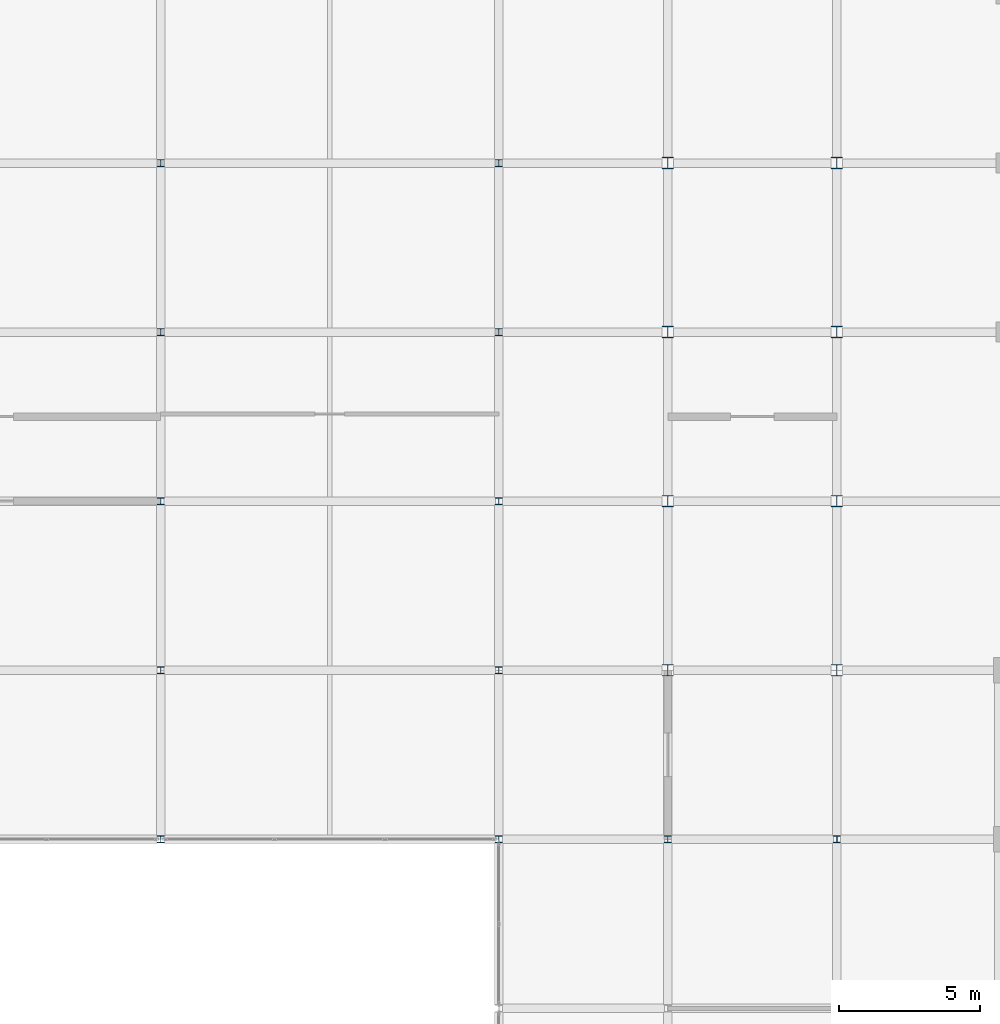
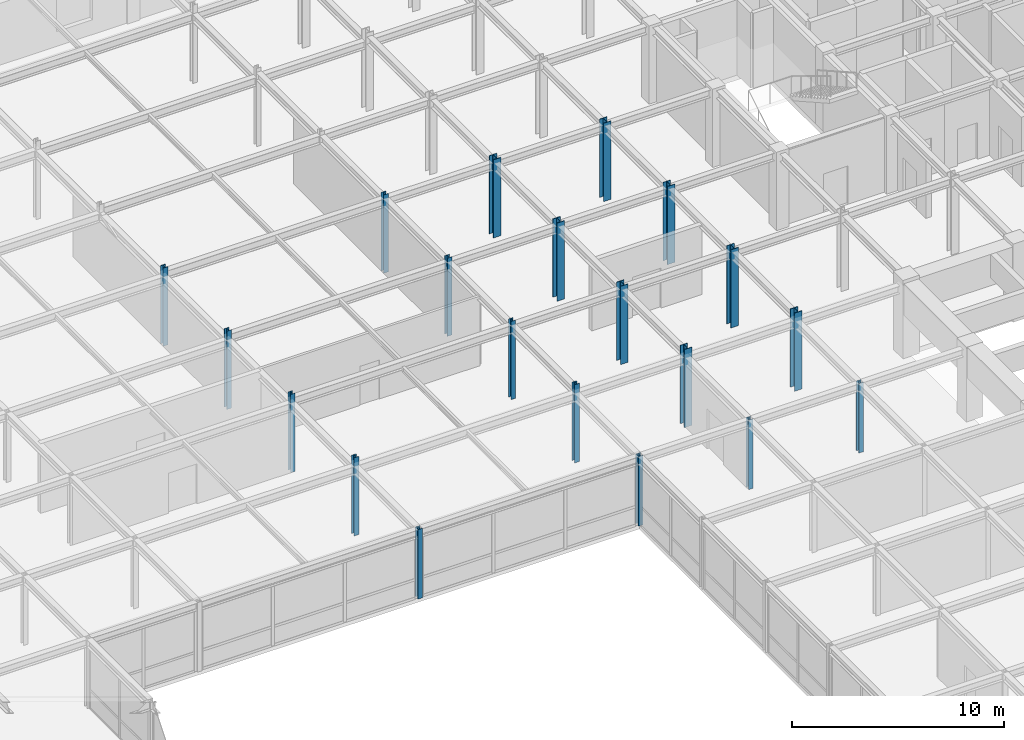
# One storey, part 14 of 111: 20 columns.
"""IFC4 building model written with IfcOpenShell, lengths in metres."""

from ifc_helpers import new_model, si_unit, direction, frame, origin, origin_2d, place, context, subcontext, project, spatial, i_section, extrude, material, material_profile, profile_set, type_object, element, save


model = new_model("IFC4")

# Units and contexts
model_context = context("Model", 3, precision=1e-05, world=origin(), true_north=direction((0.0, 1.0)))
body_context = subcontext(model_context, "Body", "Model", "MODEL_VIEW")
ifc_project = project(units=[si_unit("LENGTHUNIT", "METRE"), si_unit("AREAUNIT", "SQUARE_METRE"), si_unit("VOLUMEUNIT", "CUBIC_METRE"), si_unit("PLANEANGLEUNIT", "RADIAN"), si_unit("MASSUNIT", "GRAM", prefix="KILO")], contexts=[model_context])

# Site, building, storey
site_placement = place(None, origin())
site = spatial("IfcSite", under=ifc_project, at=site_placement, CompositionType="ELEMENT")
building_placement = place(site_placement, origin())
building = spatial("IfcBuilding", under=site, at=building_placement, Name="Zlatovratsky Civic Hall", CompositionType="ELEMENT")
storey_placement = place(building_placement, frame((0.0, 0.0, 16.5)))
storey = spatial("IfcBuildingStorey", under=building, at=storey_placement, Name="L04", CompositionType="ELEMENT", Elevation=16.5)

# Columns
ifc_material = material(Name="Steel S355", Category="steel")
ifc_material_profile_1 = material_profile(ifc_material, i_section(OverallWidth=0.25, OverallDepth=0.25, WebThickness=0.009033203125, FlangeThickness=0.013916015625, FilletRadius=0.01611328125, at=origin_2d()), Name="25K2")
ifc_profile_set_1 = profile_set([ifc_material_profile_1], Name="Steel S355")
column_type_1 = type_object("IfcColumnType", Name="Col_Steel_25K2", PredefinedType="COLUMN", material=ifc_profile_set_1)
for number, where, z_axis, x_axis, name in (
    (1, (36.0, 66.0, 0.0), (0.0, 0.0, 1.0), (1.0, 0.0, 0.0), "CL-1715"),
    (2, (48.0, 66.0, 0.0), (0.0, 0.0, 1.0), (1.0, 0.0, 0.0), "CL-1716"),
    (3, (54.0, 66.0, 0.0), (0.0, 0.0, 1.0), (1.0, 0.0, 0.0), "CL-1717"),
    (4, (60.0, 66.0, 0.0), (0.0, 0.0, 1.0), (1.0, 0.0, 0.0), "CL-1718"),
):
    element("IfcColumn", number, at=place(storey_placement, frame(where, z_axis=z_axis, x_axis=x_axis)), inside=storey, type_object=column_type_1, Name=name, PredefinedType="COLUMN", context=body_context, shape_type="SweptSolid", body=[
        extrude(i_section(OverallWidth=0.25, OverallDepth=0.25, WebThickness=0.009033203125, FlangeThickness=0.013916015625, FilletRadius=0.01611328125, at=origin_2d()), origin(), (0.0, 0.0, 1.0), 4.0),
    ])
for number, where, z_axis, x_axis, name in (
    (5, (36.0, 72.0, 0.0), (0.0, 0.0, 1.0), (1.0, 0.0, 0.0), "CL-1733"),
    (6, (48.0, 72.0, 0.0), (0.0, 0.0, 1.0), (1.0, 0.0, 0.0), "CL-1734"),
    (7, (36.0, 78.0, 0.0), (0.0, 0.0, 1.0), (1.0, 0.0, 0.0), "CL-1756"),
    (8, (48.0, 78.0, 0.0), (0.0, 0.0, 1.0), (1.0, 0.0, 0.0), "CL-1757"),
    (9, (36.0, 84.0, 0.0), (0.0, 0.0, 1.0), (1.0, 0.0, 0.0), "CL-1779"),
    (10, (48.0, 84.0, 0.0), (0.0, 0.0, 1.0), (1.0, 0.0, 0.0), "CL-1780"),
    (11, (36.0, 90.0, 0.0), (0.0, 0.0, 1.0), (1.0, 0.0, 0.0), "CL-1802"),
    (12, (48.0, 90.0, 0.0), (0.0, 0.0, 1.0), (1.0, 0.0, 0.0), "CL-1803"),
):
    element("IfcColumn", number, at=place(storey_placement, frame(where, z_axis=z_axis, x_axis=x_axis)), inside=storey, type_object=column_type_1, Name=name, PredefinedType="COLUMN", context=body_context, shape_type="SweptSolid", body=[
        extrude(i_section(OverallWidth=0.25, OverallDepth=0.25, WebThickness=0.009033203125, FlangeThickness=0.013916015625, FilletRadius=0.01611328125, at=origin_2d()), origin(), (0.0, 0.0, 1.0), 4.5),
    ])
ifc_material_profile_2 = material_profile(ifc_material, i_section(OverallWidth=0.405029296875, OverallDepth=0.41796875, WebThickness=0.02001953125, FlangeThickness=0.030029296875, FilletRadius=0.02197265625, at=origin_2d()), Name="40K4")
ifc_profile_set_2 = profile_set([ifc_material_profile_2], Name="Steel S355")
column_type_2 = type_object("IfcColumnType", Name="Col_Steel_40K4", PredefinedType="COLUMN", material=ifc_profile_set_2)
for number, where, z_axis, x_axis, name in (
    (13, (54.0, 72.0, 0.0), (0.0, 0.0, 1.0), (1.0, 0.0, 0.0), "CL-1735"),
    (14, (60.0, 72.0, 0.0), (0.0, 0.0, 1.0), (1.0, 0.0, 0.0), "CL-1736"),
    (15, (54.0, 78.0, 0.0), (0.0, 0.0, 1.0), (1.0, 0.0, 0.0), "CL-1758"),
    (16, (60.0, 78.0, 0.0), (0.0, 0.0, 1.0), (1.0, 0.0, 0.0), "CL-1759"),
    (17, (54.0, 84.0, 0.0), (0.0, 0.0, 1.0), (1.0, 0.0, 0.0), "CL-1781"),
    (18, (60.0, 84.0, 0.0), (0.0, 0.0, 1.0), (1.0, 0.0, 0.0), "CL-1782"),
    (19, (54.0, 90.0, 0.0), (0.0, 0.0, 1.0), (1.0, 0.0, 0.0), "CL-1804"),
    (20, (60.0, 90.0, 0.0), (0.0, 0.0, 1.0), (1.0, 0.0, 0.0), "CL-1805"),
):
    element("IfcColumn", number, at=place(storey_placement, frame(where, z_axis=z_axis, x_axis=x_axis)), inside=storey, type_object=column_type_2, Name=name, PredefinedType="COLUMN", context=body_context, shape_type="SweptSolid", body=[
        extrude(i_section(OverallWidth=0.405029296875, OverallDepth=0.41796875, WebThickness=0.02001953125, FlangeThickness=0.030029296875, FilletRadius=0.02197265625, at=origin_2d()), origin(), (0.0, 0.0, 1.0), 4.5),
    ])

save(model, "model.ifc")
